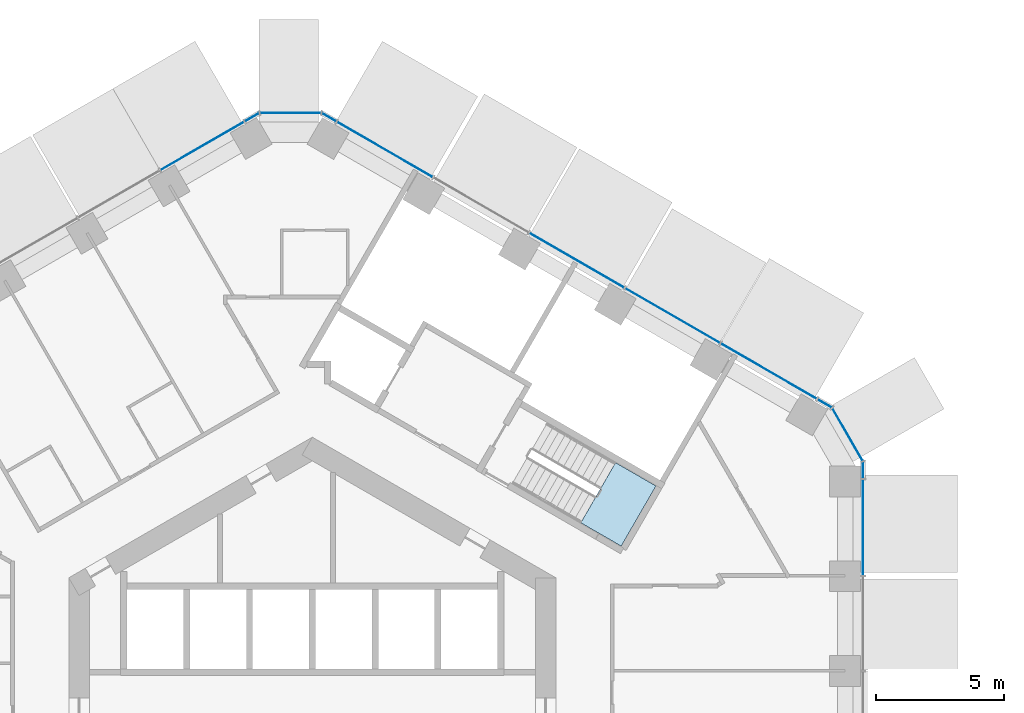
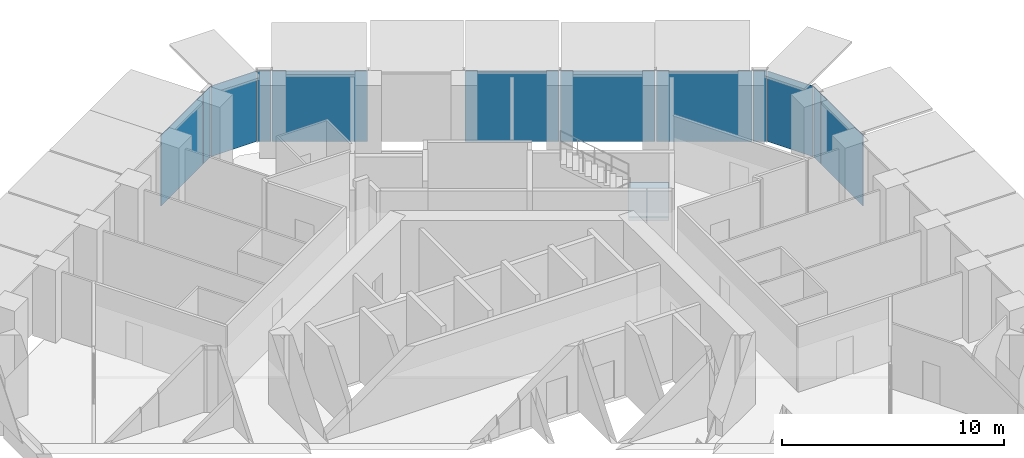
# One storey, part 16 of 28: 12 plates, 1 slab, 6 elements without a shape of their own.
"""IFC4 building model written with IfcOpenShell, lengths in metres."""

from ifc_helpers import new_model, si_unit, direction, frame, origin, origin_2d, place, context, subcontext, project, spatial, polyline, rectangle, outline, extrude, material, layer, layer_set, type_object, element, aggregate, save


model = new_model("IFC4")

# Units and contexts
model_context = context("Model", 3, precision=1e-05, world=origin(), true_north=direction((0.0, 1.0)))
body_context = subcontext(model_context, "Body", "Model", "MODEL_VIEW")
ifc_project = project(units=[si_unit("LENGTHUNIT", "METRE"), si_unit("AREAUNIT", "SQUARE_METRE"), si_unit("VOLUMEUNIT", "CUBIC_METRE"), si_unit("PLANEANGLEUNIT", "RADIAN"), si_unit("MASSUNIT", "GRAM", prefix="KILO")], contexts=[model_context])

# Site, building, storey
site_placement = place(None, origin())
site = spatial("IfcSite", under=ifc_project, at=site_placement, CompositionType="ELEMENT")
building_placement = place(site_placement, origin())
building = spatial("IfcBuilding", under=site, at=building_placement, Name="Ayvan Gate Tower", CompositionType="ELEMENT")
storey_placement = place(building_placement, frame((0.0, 0.0, 74.300048828125)))
storey = spatial("IfcBuildingStorey", under=building, at=storey_placement, Name="L19", CompositionType="ELEMENT", Elevation=74.300048828125)

# Stair, slab
ifc_material_1 = material(Name="Concrete C40/50", Category="concrete")
stair_type = type_object("IfcStairType", Name="ST-EXIT", PredefinedType="HALF_TURN_STAIR", material=ifc_material_1)
stair_placement = place(storey_placement, origin())
stair = element("IfcStair", 1, at=stair_placement, inside=storey, type_object=stair_type, Name="L19 Exit Stair S1", PredefinedType="HALF_TURN_STAIR")
ifc_layer_1 = layer(ifc_material_1, 0.199951171875)
ifc_layer_set_1 = layer_set([ifc_layer_1], Name="Concrete C40/50")
slab_type = type_object("IfcSlabType", Name="SL-LANDING-200", PredefinedType="LANDING", material=ifc_layer_set_1)
slab_placement = place(storey_placement, frame((0.0, 0.0, 1.800048828125)))
slab = element("IfcSlab", 2, at=slab_placement, type_object=slab_type, Name="STS1 landing 1", PredefinedType="LANDING", context=body_context, shape_type="SweptSolid", body=[
    extrude(outline(polyline([(10.473388671875, 7.630615234375), (12.049560546875, 6.720458984375), (13.404541015625, 9.0673828125), (11.828369140625, 9.9775390625), (10.473388671875, 7.630615234375)])), origin(), (0.0, 0.0, 1.0), 0.199951171875),
])
aggregate(stair, [slab])

# Curtain wall, plate
ifc_material_2 = material(Name="Bronze anodised aluminium", Category="aluminium")
ifc_layer_2 = layer(ifc_material_2, 0.199951171875)
ifc_layer_set_2 = layer_set([ifc_layer_2], Name="Bronze anodised aluminium")
curtain_wall_type_1 = type_object("IfcCurtainWallType", Name="Stick curtain wall CW-1", PredefinedType="NOTDEFINED", material=ifc_layer_set_2)
curtain_wall_1_placement = place(storey_placement, origin())
curtain_wall_1 = element("IfcCurtainWall", 3, at=curtain_wall_1_placement, inside=storey, type_object=curtain_wall_type_1, Name="Stick curtain wall CW-1 L19", PredefinedType="NOTDEFINED")
ifc_material_3 = material(Name="Clear low-iron laminated glass", Category="glass")
ifc_layer_3 = layer(ifc_material_3, 0.028076171875)
ifc_layer_set_3 = layer_set([ifc_layer_3], Name="Clear low-iron laminated glass")
plate_type_1 = type_object("IfcPlateType", Name="Stick curtain wall CW-1 glass panel", PredefinedType="CURTAIN_PANEL", material=ifc_layer_set_3)
plate_1_placement = place(storey_placement, frame((21.484619140625, 7.46142578125, 0.0), z_axis=(0.0, 0.0, 1.0), x_axis=(0.0, 1.0, 0.0)))
plate_1 = element("IfcPlate", 4, at=plate_1_placement, type_object=plate_type_1, Name="CW-1 glass panel 5", PredefinedType="CURTAIN_PANEL", context=body_context, shape_type="SweptSolid", body=[
    extrude(rectangle(XDim=3.77001953125, YDim=0.028076171875, at=origin_2d()), origin(), (0.0, 0.0, 1.0), 3.8798828125),
])
aggregate(curtain_wall_1, [plate_1])

# Curtain wall, plates
curtain_wall_2_placement = place(storey_placement, origin())
curtain_wall_2 = element("IfcCurtainWall", 5, at=curtain_wall_2_placement, inside=storey, type_object=curtain_wall_type_1, Name="Stick curtain wall CW-1 L19", PredefinedType="NOTDEFINED")
plate_2_placement = place(storey_placement, frame((17.816162109375, 13.53857421875, 0.0), z_axis=(0.0, 0.0, 1.0), x_axis=(-0.866025403784, 0.5, 0.0)))
plate_2 = element("IfcPlate", 6, at=plate_2_placement, type_object=plate_type_1, Name="CW-1 glass panel 1", PredefinedType="CURTAIN_PANEL", context=body_context, shape_type="SweptSolid", body=[
    extrude(rectangle(XDim=4.323974609375, YDim=0.028076171875, at=origin_2d()), origin(), (0.0, 0.0, 1.0), 3.8798828125),
])
plate_3_placement = place(storey_placement, frame((14.050537109375, 15.712646484375, 0.0), z_axis=(0.0, 0.0, 1.0), x_axis=(-0.866025403784, 0.5, 0.0)))
plate_3 = element("IfcPlate", 7, at=plate_3_placement, type_object=plate_type_1, Name="CW-1 glass panel 2", PredefinedType="CURTAIN_PANEL", context=body_context, shape_type="SweptSolid", body=[
    extrude(rectangle(XDim=4.251953125, YDim=0.028076171875, at=origin_2d()), origin(), (0.0, 0.0, 1.0), 3.8798828125),
])
plate_4_placement = place(storey_placement, frame((10.31640625, 17.86865234375, 0.0), z_axis=(0.0, 0.0, 1.0), x_axis=(-0.866025403784, 0.5, 0.0)))
plate_4 = element("IfcPlate", 8, at=plate_4_placement, type_object=plate_type_1, Name="CW-1 glass panel 3", PredefinedType="CURTAIN_PANEL", context=body_context, shape_type="SweptSolid", body=[
    extrude(rectangle(XDim=4.251953125, YDim=0.028076171875, at=origin_2d()), origin(), (0.0, 0.0, 1.0), 3.8798828125),
])
plate_5_placement = place(storey_placement, frame((2.816650390625, 22.198486328125, 0.0), z_axis=(0.0, 0.0, 1.0), x_axis=(-0.866025403784, 0.5, 0.0)))
plate_5 = element("IfcPlate", 9, at=plate_5_placement, type_object=plate_type_1, Name="CW-1 glass panel 5", PredefinedType="CURTAIN_PANEL", context=body_context, shape_type="SweptSolid", body=[
    extrude(rectangle(XDim=4.32373046875, YDim=0.028076171875, at=origin_2d()), origin(), (0.0, 0.0, 1.0), 3.8798828125),
])
aggregate(curtain_wall_2, [plate_2, plate_3, plate_4, plate_5])

# Curtain wall, plate
curtain_wall_3_placement = place(storey_placement, origin())
curtain_wall_3 = element("IfcCurtainWall", 10, at=curtain_wall_3_placement, inside=storey, type_object=curtain_wall_type_1, Name="Stick curtain wall CW-1 L19", PredefinedType="NOTDEFINED")
plate_6_placement = place(storey_placement, frame((-4.280517578125, 22.3369140625, 0.0), z_axis=(0.0, 0.0, 1.0), x_axis=(-0.866025403784, -0.5, 0.0)))
plate_6 = element("IfcPlate", 11, at=plate_6_placement, type_object=plate_type_1, Name="CW-1 glass panel 1", PredefinedType="CURTAIN_PANEL", context=body_context, shape_type="SweptSolid", body=[
    extrude(rectangle(XDim=3.77001953125, YDim=0.028076171875, at=origin_2d()), origin(), (0.0, 0.0, 1.0), 3.8798828125),
])
aggregate(curtain_wall_3, [plate_6])

# Curtain wall, plates
ifc_layer_4 = layer(ifc_material_2, 0.199951171875)
ifc_layer_set_4 = layer_set([ifc_layer_4], Name="Bronze anodised aluminium")
curtain_wall_type_2 = type_object("IfcCurtainWallType", Name="Stick curtain wall CW-6", PredefinedType="NOTDEFINED", material=ifc_layer_set_4)
curtain_wall_4_placement = place(storey_placement, origin())
curtain_wall_4 = element("IfcCurtainWall", 12, at=curtain_wall_4_placement, inside=storey, type_object=curtain_wall_type_2, Name="Stick curtain wall CW-6 L19", PredefinedType="NOTDEFINED")
ifc_layer_5 = layer(ifc_material_3, 0.028076171875)
ifc_layer_set_5 = layer_set([ifc_layer_5], Name="Clear low-iron laminated glass")
plate_type_2 = type_object("IfcPlateType", Name="Stick curtain wall CW-6 glass panel", PredefinedType="CURTAIN_PANEL", material=ifc_layer_set_5)
plate_7_placement = place(storey_placement, frame((21.484619140625, 9.68896484375, 0.0), z_axis=(0.0, 0.0, 1.0), x_axis=(0.0, 1.0, 0.0)))
plate_7 = element("IfcPlate", 13, at=plate_7_placement, type_object=plate_type_2, Name="CW-6 glass panel 1", PredefinedType="CURTAIN_PANEL", context=body_context, shape_type="SweptSolid", body=[
    extrude(rectangle(XDim=0.625, YDim=0.028076171875, at=origin_2d()), origin(), (0.0, 0.0, 1.0), 3.8798828125),
])
plate_8_placement = place(storey_placement, frame((20.880859375, 11.072021484375, 0.0), z_axis=(0.0, 0.0, 1.0), x_axis=(-0.5, 0.866025403784, 0.0)))
plate_8 = element("IfcPlate", 14, at=plate_8_placement, type_object=plate_type_2, Name="CW-6 glass panel 2", PredefinedType="CURTAIN_PANEL", context=body_context, shape_type="SweptSolid", body=[
    extrude(rectangle(XDim=2.364501953125, YDim=0.028076171875, at=origin_2d()), origin(), (0.0, 0.0, 1.0), 3.8798828125),
])
plate_9_placement = place(storey_placement, frame((19.985107421875, 12.286376953125, 0.0), z_axis=(0.0, 0.0, 1.0), x_axis=(-0.866025403784, 0.5, 0.0)))
plate_9 = element("IfcPlate", 15, at=plate_9_placement, type_object=plate_type_2, Name="CW-6 glass panel 3", PredefinedType="CURTAIN_PANEL", context=body_context, shape_type="SweptSolid", body=[
    extrude(rectangle(XDim=0.625, YDim=0.028076171875, at=origin_2d()), origin(), (0.0, 0.0, 1.0), 3.8798828125),
])
aggregate(curtain_wall_4, [plate_7, plate_8, plate_9])

curtain_wall_5_placement = place(storey_placement, origin())
curtain_wall_5 = element("IfcCurtainWall", 16, at=curtain_wall_5_placement, inside=storey, type_object=curtain_wall_type_2, Name="Stick curtain wall CW-6 L19", PredefinedType="NOTDEFINED")
plate_10_placement = place(storey_placement, frame((0.647705078125, 23.45068359375, 0.0), z_axis=(0.0, 0.0, 1.0), x_axis=(-0.866025403784, 0.5, 0.0)))
plate_10 = element("IfcPlate", 17, at=plate_10_placement, type_object=plate_type_2, Name="CW-6 glass panel 1", PredefinedType="CURTAIN_PANEL", context=body_context, shape_type="SweptSolid", body=[
    extrude(rectangle(XDim=0.625, YDim=0.028076171875, at=origin_2d()), origin(), (0.0, 0.0, 1.0), 3.8798828125),
])
plate_11_placement = place(storey_placement, frame((-0.851806640625, 23.619384765625, 0.0), z_axis=(0.0, 0.0, 1.0), x_axis=(-1.0, 0.0, 0.0)))
plate_11 = element("IfcPlate", 18, at=plate_11_placement, type_object=plate_type_2, Name="CW-6 glass panel 2", PredefinedType="CURTAIN_PANEL", context=body_context, shape_type="SweptSolid", body=[
    extrude(rectangle(XDim=2.364501953125, YDim=0.028076171875, at=origin_2d()), origin(), (0.0, 0.0, 1.0), 3.8798828125),
])
plate_12_placement = place(storey_placement, frame((-2.351318359375, 23.45068359375, 0.0), z_axis=(0.0, 0.0, 1.0), x_axis=(-0.866025403784, -0.5, 0.0)))
plate_12 = element("IfcPlate", 19, at=plate_12_placement, type_object=plate_type_2, Name="CW-6 glass panel 3", PredefinedType="CURTAIN_PANEL", context=body_context, shape_type="SweptSolid", body=[
    extrude(rectangle(XDim=0.625, YDim=0.028076171875, at=origin_2d()), origin(), (0.0, 0.0, 1.0), 3.8798828125),
])
aggregate(curtain_wall_5, [plate_10, plate_11, plate_12])

save(model, "model.ifc")
